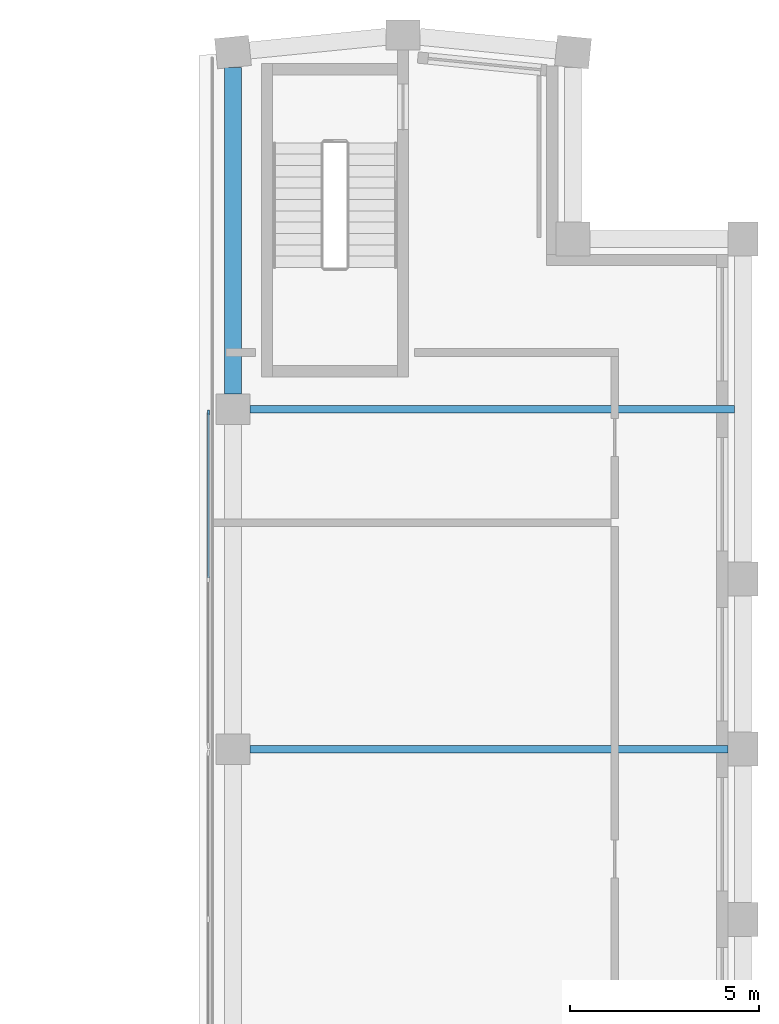
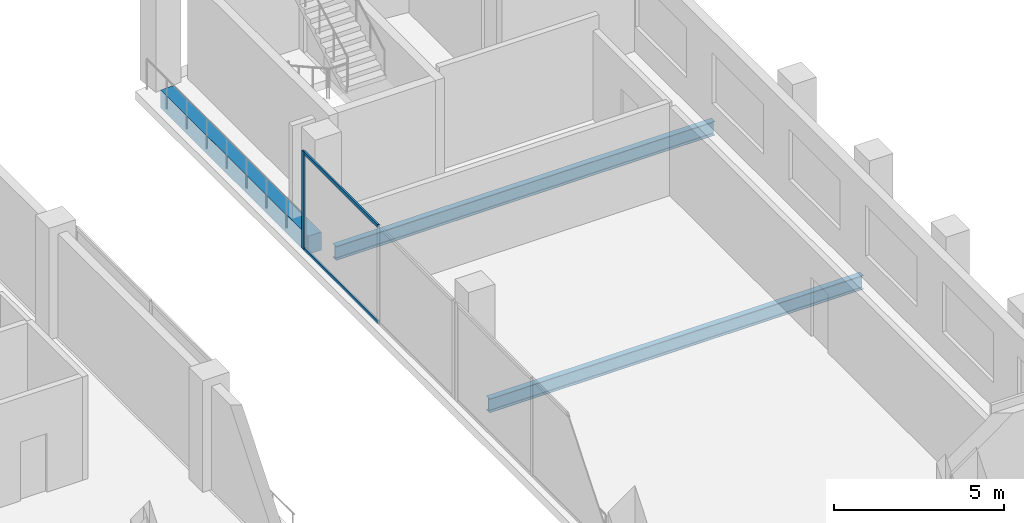
# One storey, part 5 of 9: 3 beams, 3 members, 1 element without a shape of its own.
"""IFC4 building model written with IfcOpenShell, lengths in metres."""

from ifc_helpers import new_model, si_unit, direction, frame, origin, origin_2d, place, context, subcontext, project, spatial, rectangle, i_section, extrude, material, material_profile, profile_set, type_object, element, aggregate, save


model = new_model("IFC4")

# Units and contexts
model_context = context("Model", 3, precision=1e-05, world=origin(), true_north=direction((0.0, 1.0)))
body_context = subcontext(model_context, "Body", "Model", "MODEL_VIEW")
ifc_project = project(units=[si_unit("LENGTHUNIT", "METRE"), si_unit("AREAUNIT", "SQUARE_METRE"), si_unit("VOLUMEUNIT", "CUBIC_METRE"), si_unit("PLANEANGLEUNIT", "RADIAN"), si_unit("MASSUNIT", "GRAM", prefix="KILO")], contexts=[model_context])

# Site, building, storey
site_placement = place(None, origin())
site = spatial("IfcSite", under=ifc_project, at=site_placement, CompositionType="ELEMENT")
building_placement = place(site_placement, origin())
building = spatial("IfcBuilding", under=site, at=building_placement, Name="Brondeck Convention Tower", CompositionType="ELEMENT")
storey_placement = place(building_placement, frame((0.0, 0.0, 290.800048828125)))
storey = spatial("IfcBuildingStorey", under=building, at=storey_placement, Name="L72", CompositionType="ELEMENT", Elevation=290.800048828125)

# Curtain wall, members
ifc_material_1 = material(Name="Aluminium, bronze anodised", Category="aluminium")
curtain_wall_type = type_object("IfcCurtainWallType", Name="Crown screen curtain wall", PredefinedType="NOTDEFINED", material=ifc_material_1)
curtain_wall_placement = place(storey_placement, origin())
curtain_wall = element("IfcCurtainWall", 1, at=curtain_wall_placement, inside=storey, type_object=curtain_wall_type, Name="ENV-CW4-L72-K2-SLOT-E-03", PredefinedType="NOTDEFINED")
ifc_material_profile_1 = material_profile(ifc_material_1, rectangle(XDim=0.06005859375, YDim=0.139892578125, at=origin_2d()), Name="CW4 mullion")
ifc_profile_set_1 = profile_set([ifc_material_profile_1], Name="Aluminium, bronze anodised")
member_type_1 = type_object("IfcMemberType", Name="CW4 mullion", PredefinedType="MULLION", material=ifc_profile_set_1)
member_1_placement = place(storey_placement, frame((21.85009765625, 53.909912109375, 0.0), z_axis=(0.0, 0.0, 1.0), x_axis=(-1.0, 0.0, 0.0)))
member_1 = element("IfcMember", 2, at=member_1_placement, type_object=member_type_1, Name="CW4 mullion 3", PredefinedType="MULLION", context=body_context, shape_type="SweptSolid", body=[
    extrude(rectangle(XDim=0.06005859375, YDim=0.139892578125, at=origin_2d()), origin(), (0.0, 0.0, 1.0), 3.5),
])
ifc_material_profile_2 = material_profile(ifc_material_1, rectangle(XDim=0.06005859375, YDim=0.1201171875, at=origin_2d()), Name="CW4 transom")
ifc_profile_set_2 = profile_set([ifc_material_profile_2], Name="Aluminium, bronze anodised")
member_type_2 = type_object("IfcMemberType", Name="CW4 transom", PredefinedType="USERDEFINED", material=ifc_profile_set_2)
member_2_placement = place(storey_placement, frame((21.85009765625, 49.530029296875, 0.030029296875), z_axis=(0.0, 1.0, 0.0), x_axis=(-1.0, 0.0, 0.0)))
member_2 = element("IfcMember", 3, at=member_2_placement, type_object=member_type_2, Name="CW4 transom 2.1", ObjectType="TRANSOM", PredefinedType="USERDEFINED", context=body_context, shape_type="SweptSolid", body=[
    extrude(rectangle(XDim=0.06005859375, YDim=0.1201171875, at=origin_2d()), origin(), (0.0, 0.0, 1.0), 4.349853515625),
])
member_3_placement = place(storey_placement, frame((21.85009765625, 49.530029296875, 3.469970703125), z_axis=(0.0, 1.0, 0.0), x_axis=(-1.0, 0.0, 0.0)))
member_3 = element("IfcMember", 4, at=member_3_placement, type_object=member_type_2, Name="CW4 transom 2.2", ObjectType="TRANSOM", PredefinedType="USERDEFINED", context=body_context, shape_type="SweptSolid", body=[
    extrude(rectangle(XDim=0.06005859375, YDim=0.1201171875, at=origin_2d()), origin(), (0.0, 0.0, 1.0), 4.349853515625),
])
aggregate(curtain_wall, [member_1, member_2, member_3])

# Beams
ifc_material_2 = material(Name="Steel S355", Category="steel")
ifc_material_profile_3 = material_profile(ifc_material_2, i_section(OverallWidth=0.199951171875, OverallDepth=0.5, WebThickness=0.01025390625, FlangeThickness=0.01611328125, FilletRadius=0.02099609375, at=origin_2d()), Name="IPE 500")
ifc_profile_set_3 = profile_set([ifc_material_profile_3], Name="Steel S355")
beam_type_1 = type_object("IfcBeamType", Name="Crown frame Floor beam IPE 500", PredefinedType="BEAM", material=ifc_profile_set_3)
beam_1_placement = place(storey_placement, frame((22.949951171875, 45.0, -0.550048828125), z_axis=(1.0, 0.0, 0.0), x_axis=(0.0, 1.0, 0.0)))
element("IfcBeam", 5, at=beam_1_placement, inside=storey, type_object=beam_type_1, Name="STR-FB-L72K2-002", PredefinedType="BEAM", context=body_context, shape_type="SweptSolid", body=[
    extrude(i_section(OverallWidth=0.199951171875, OverallDepth=0.5, WebThickness=0.01025390625, FlangeThickness=0.01611328125, FilletRadius=0.02099609375, at=origin_2d()), origin(), (0.0, 0.0, 1.0), 12.650146484375),
])
beam_2_placement = place(storey_placement, frame((22.949951171875, 54.0, -0.550048828125), z_axis=(1.0, 0.0, 0.0), x_axis=(0.0, 1.0, 0.0)))
element("IfcBeam", 6, at=beam_2_placement, inside=storey, type_object=beam_type_1, Name="STR-FB-L72K2-003", PredefinedType="BEAM", context=body_context, shape_type="SweptSolid", body=[
    extrude(i_section(OverallWidth=0.199951171875, OverallDepth=0.5, WebThickness=0.01025390625, FlangeThickness=0.01611328125, FilletRadius=0.02099609375, at=origin_2d()), origin(), (0.0, 0.0, 1.0), 12.824951171875),
])
ifc_material_3 = material(Name="Concrete C50/60", Category="concrete")
ifc_material_profile_4 = material_profile(ifc_material_3, rectangle(XDim=0.449951171875, YDim=0.64990234375, at=origin_2d()), Name="Precast spandrel 450x650 Concrete C50/60")
ifc_profile_set_4 = profile_set([ifc_material_profile_4], Name="Concrete C50/60")
beam_type_2 = type_object("IfcBeamType", Name="Precast spandrel 450x650 Concrete C50/60", PredefinedType="SPANDREL", material=ifc_profile_set_4)
beam_3_placement = place(storey_placement, frame((22.5, 63.048095703125, -0.324951171875), z_axis=(0.0, -1.0, 0.0), x_axis=(1.0, 0.0, 0.0)))
element("IfcBeam", 7, at=beam_3_placement, inside=storey, type_object=beam_type_2, Name="STR-SP-L72K2-014", PredefinedType="SPANDREL", context=body_context, shape_type="SweptSolid", body=[
    extrude(rectangle(XDim=0.449951171875, YDim=0.64990234375, at=origin_2d()), origin(), (0.0, 0.0, 1.0), 8.648193359375),
])

save(model, "model.ifc")
